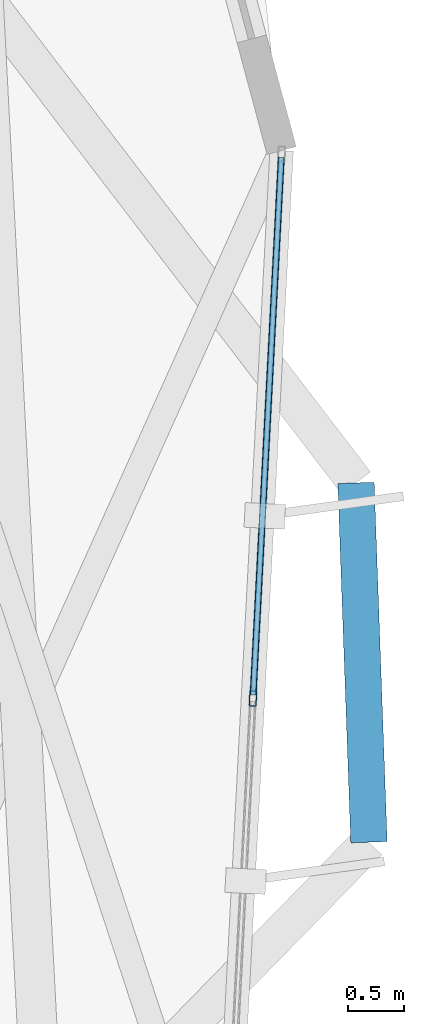
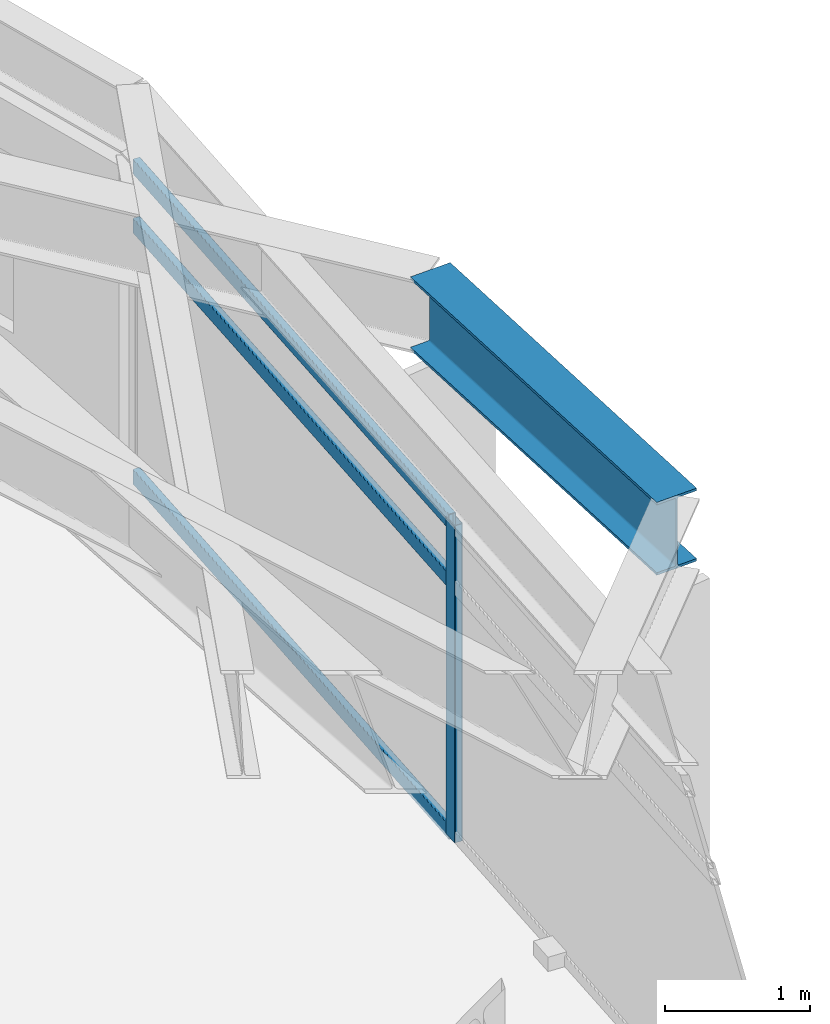
# One storey, part 14 of 29: 4 members, 1 beam, 1 element without a shape of its own.
"""IFC4 building model written with IfcOpenShell, lengths in metres."""

from ifc_helpers import new_model, si_unit, direction, frame, origin, origin_2d, place, context, subcontext, project, spatial, hollow_rectangle, i_section, extrude, material, layer, layer_set, material_profile, profile_set, type_object, element, aggregate, save


model = new_model("IFC4")

# Units and contexts
model_context = context("Model", 3, precision=1e-05, world=origin(), true_north=direction((0.0, 1.0)))
body_context = subcontext(model_context, "Body", "Model", "MODEL_VIEW")
ifc_project = project(units=[si_unit("LENGTHUNIT", "METRE"), si_unit("AREAUNIT", "SQUARE_METRE"), si_unit("VOLUMEUNIT", "CUBIC_METRE"), si_unit("PLANEANGLEUNIT", "RADIAN"), si_unit("MASSUNIT", "GRAM", prefix="KILO")], contexts=[model_context])

# Site, building, storey
site_placement = place(None, origin())
site = spatial("IfcSite", under=ifc_project, at=site_placement, CompositionType="ELEMENT")
building_placement = place(site_placement, origin())
building = spatial("IfcBuilding", under=site, at=building_placement, Name="Soratama Intermodal Tower", CompositionType="ELEMENT")
storey_placement = place(building_placement, frame((0.0, 0.0, 219.39990234375)))
storey = spatial("IfcBuildingStorey", under=building, at=storey_placement, Name="L55", CompositionType="ELEMENT", Elevation=219.39990234375)

# Beam
ifc_material_1 = material(Name="Structural steel ASTM A992 Grade 50", Category="steel")
ifc_material_profile_1 = material_profile(ifc_material_1, i_section(OverallWidth=0.324951171875, OverallDepth=0.615966796875, WebThickness=0.013916015625, FlangeThickness=0.021484375, FilletRadius=0.013916015625, at=origin_2d()), Name="W24X117")
ifc_profile_set_1 = profile_set([ifc_material_profile_1], Name="Structural steel ASTM A992 Grade 50")
beam_type = type_object("IfcBeamType", Name="BM-CANT-W24X117", PredefinedType="BEAM", material=ifc_profile_set_1)
beam_placement = place(storey_placement, frame((65.885986328125, 22.675048828125, 2.9921875), z_axis=(-0.036114587368, 0.999347655513, 0.0), x_axis=(-0.999347655513, -0.036114587368, 0.0)))
element("IfcBeam", 1, at=beam_placement, inside=storey, type_object=beam_type, Name="BM-L55-CBHDR-1", PredefinedType="BEAM", context=body_context, shape_type="SweptSolid", body=[
    extrude(i_section(OverallWidth=0.324951171875, OverallDepth=0.615966796875, WebThickness=0.013916015625, FlangeThickness=0.021484375, FilletRadius=0.013916015625, at=origin_2d()), origin(), (0.0, 0.0, 1.0), 3.211181640625),
])

# Curtain wall, members
ifc_material_2 = material(Name="Double-glazed aluminium curtain wall", Category="aluminium")
ifc_layer = layer(ifc_material_2, 0.159912109375)
ifc_layer_set = layer_set([ifc_layer], Name="Double-glazed aluminium curtain wall")
curtain_wall_type = type_object("IfcCurtainWallType", Name="CW-SYS-5", PredefinedType="NOTDEFINED", material=ifc_layer_set)
curtain_wall_placement = place(storey_placement, origin())
curtain_wall = element("IfcCurtainWall", 2, at=curtain_wall_placement, inside=storey, type_object=curtain_wall_type, Name="L55 Faceted Curtain Wall F09", PredefinedType="NOTDEFINED")
ifc_material_3 = material(Name="Anodised aluminium AA 6063-T6", Category="aluminium")
ifc_material_profile_2 = material_profile(ifc_material_3, hollow_rectangle(XDim=0.06494140625, YDim=0.139892578125, WallThickness=0.0048828125, InnerFilletRadius=0.0048828125, OuterFilletRadius=0.010009765625, at=origin_2d()), Name="CWM140X65X5")
ifc_profile_set_2 = profile_set([ifc_material_profile_2], Name="Anodised aluminium AA 6063-T6")
member_type_1 = type_object("IfcMemberType", Name="MT-CWM-5", PredefinedType="MULLION", material=ifc_profile_set_2)
member_1_placement = place(storey_placement, frame((64.849853515625, 23.959716796875, 0.0), z_axis=(0.0, 0.0, 1.0), x_axis=(-0.998629898503, 0.052329015046, 0.0)))
member_1 = element("IfcMember", 3, at=member_1_placement, type_object=member_type_1, Name="CW-5 mullion 2", PredefinedType="MULLION", context=body_context, shape_type="SweptSolid", body=[
    extrude(hollow_rectangle(XDim=0.06494140625, YDim=0.139892578125, WallThickness=0.0048828125, InnerFilletRadius=0.0048828125, OuterFilletRadius=0.010009765625, at=origin_2d()), origin(), (0.0, 0.0, 1.0), 2.67919921875),
])
ifc_material_4 = material(Name="Anodised aluminium AA 6063-T6", Category="aluminium")
ifc_material_profile_3 = material_profile(ifc_material_4, hollow_rectangle(XDim=0.06005859375, YDim=0.1298828125, WallThickness=0.0048828125, InnerFilletRadius=0.0048828125, OuterFilletRadius=0.010009765625, at=origin_2d()), Name="CWT130X60X5")
ifc_profile_set_3 = profile_set([ifc_material_profile_3], Name="Anodised aluminium AA 6063-T6")
member_type_2 = type_object("IfcMemberType", Name="TT-CWT-2", PredefinedType="USERDEFINED", material=ifc_profile_set_3)
member_2_placement = place(storey_placement, frame((64.851318359375, 23.98974609375, 0.030029296875), z_axis=(0.052342992888, 0.998629165955, 0.0), x_axis=(-0.998629165955, 0.052342992888, 0.0)))
member_2 = element("IfcMember", 4, at=member_2_placement, type_object=member_type_2, Name="CW-5 transom 2.1", ObjectType="TRANSOM", PredefinedType="USERDEFINED", context=body_context, shape_type="SweptSolid", body=[
    extrude(hollow_rectangle(XDim=0.06005859375, YDim=0.1298828125, WallThickness=0.0048828125, InnerFilletRadius=0.0048828125, OuterFilletRadius=0.010009765625, at=origin_2d()), origin(), (0.0, 0.0, 1.0), 4.808837890625),
])
member_3_placement = place(storey_placement, frame((64.851318359375, 23.98974609375, 2.150146484375), z_axis=(0.052342992888, 0.998629165955, 0.0), x_axis=(-0.998629165955, 0.052342992888, 0.0)))
member_3 = element("IfcMember", 5, at=member_3_placement, type_object=member_type_2, Name="CW-5 transom 2.2", ObjectType="TRANSOM", PredefinedType="USERDEFINED", context=body_context, shape_type="SweptSolid", body=[
    extrude(hollow_rectangle(XDim=0.06005859375, YDim=0.1298828125, WallThickness=0.0048828125, InnerFilletRadius=0.0048828125, OuterFilletRadius=0.010009765625, at=origin_2d()), origin(), (0.0, 0.0, 1.0), 4.808837890625),
])
member_4_placement = place(storey_placement, frame((64.851318359375, 23.98974609375, 2.649169921875), z_axis=(0.052342992888, 0.998629165955, 0.0), x_axis=(-0.998629165955, 0.052342992888, 0.0)))
member_4 = element("IfcMember", 6, at=member_4_placement, type_object=member_type_2, Name="CW-5 transom 2.3", ObjectType="TRANSOM", PredefinedType="USERDEFINED", context=body_context, shape_type="SweptSolid", body=[
    extrude(hollow_rectangle(XDim=0.06005859375, YDim=0.1298828125, WallThickness=0.0048828125, InnerFilletRadius=0.0048828125, OuterFilletRadius=0.010009765625, at=origin_2d()), origin(), (0.0, 0.0, 1.0), 4.808837890625),
])
aggregate(curtain_wall, [member_1, member_2, member_3, member_4])

save(model, "model.ifc")
